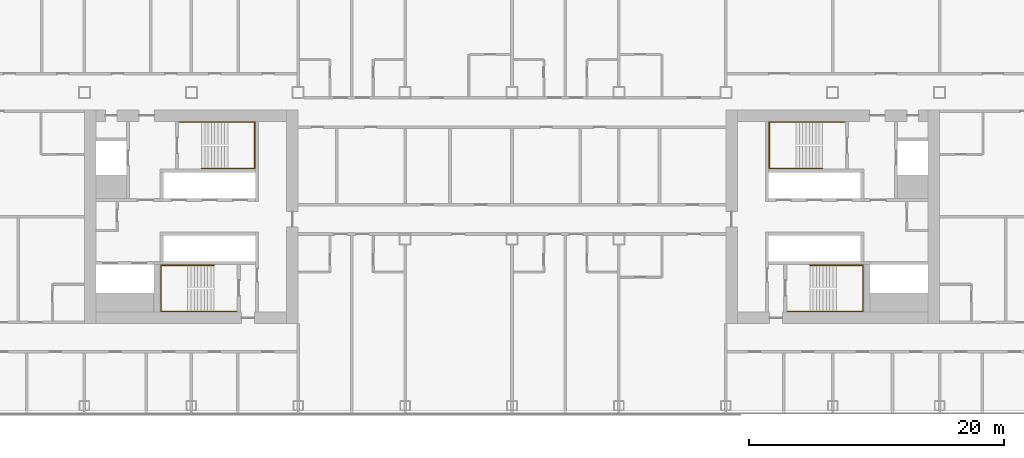
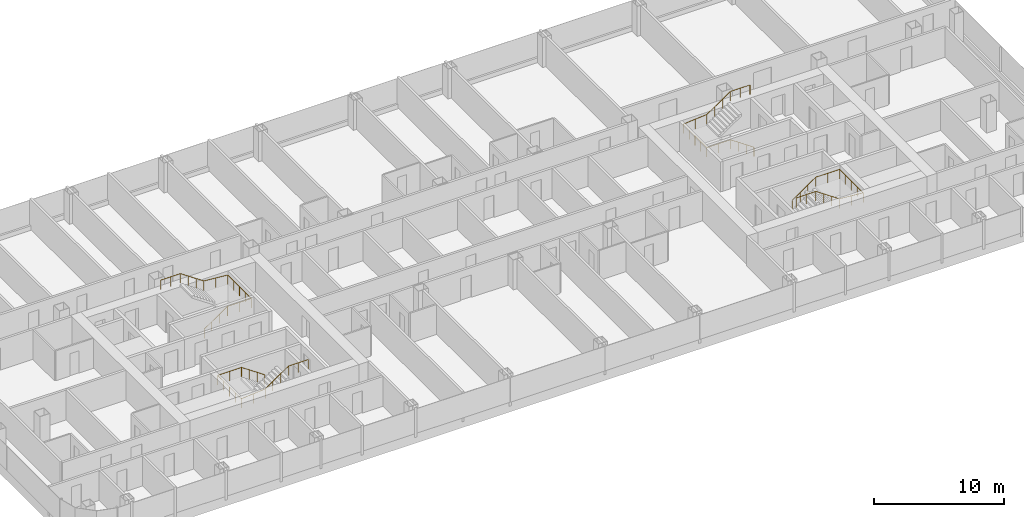
# One storey, part 29 of 29: 4 railings.
"""IFC4 building model written with IfcOpenShell, lengths in metres."""

from ifc_helpers import new_model, si_unit, direction, frame, origin, origin_2d, place, context, subcontext, project, spatial, circle, extrude, material, type_object, element, save


model = new_model("IFC4")

# Units and contexts
model_context = context("Model", 3, precision=1e-05, world=origin(), true_north=direction((0.0, 1.0)))
body_context = subcontext(model_context, "Body", "Model", "MODEL_VIEW")
ifc_project = project(units=[si_unit("LENGTHUNIT", "METRE"), si_unit("AREAUNIT", "SQUARE_METRE"), si_unit("VOLUMEUNIT", "CUBIC_METRE"), si_unit("PLANEANGLEUNIT", "RADIAN"), si_unit("MASSUNIT", "GRAM", prefix="KILO")], contexts=[model_context])

# Site, building, storey
site_placement = place(None, origin())
site = spatial("IfcSite", under=ifc_project, at=site_placement, CompositionType="ELEMENT")
building_placement = place(site_placement, origin())
building = spatial("IfcBuilding", under=site, at=building_placement, Name="Hakoniwa Tower and Hamabe Station Hall", CompositionType="ELEMENT")
storey_placement = place(building_placement, frame((0.0, 0.0, 85.0)))
storey = spatial("IfcBuildingStorey", under=building, at=storey_placement, Name="L23", CompositionType="ELEMENT", Elevation=85.0)

# Railings
ifc_material = material(Name="Stainless steel SUS304", Category="steel")
railing_type = type_object("IfcRailingType", Name="STAIR HANDRAIL 900", PredefinedType="HANDRAIL", material=ifc_material)
railing_1_placement = place(storey_placement, frame((-24.39990234375, 3.81005859375, 0.177734375)))
element("IfcRailing", 1, at=railing_1_placement, inside=storey, type_object=railing_type, Name="Handrail ST-1 L23 1", PredefinedType="HANDRAIL", context=body_context, shape_type="SweptSolid", body=[
    extrude(circle(Radius=0.02392578125, at=origin_2d()), frame((0.0, 0.0, 0.8759765625), z_axis=(0.825433201882, 0.0, 0.564499804456), x_axis=(0.0, 1.0, 0.0)), (0.0, 0.0, 1.0), 2.519775390625),
    extrude(circle(Radius=0.02392578125, at=origin_2d()), frame((2.079833984375, 0.0, 2.29833984375), z_axis=(1.0, 0.0, 0.0), x_axis=(0.0, 1.0, 0.0)), (0.0, 0.0, 1.0), 2.110107421875),
    extrude(circle(Radius=0.02392578125, at=origin_2d()), frame((4.18994140625, 0.0, 2.29833984375), z_axis=(0.0, 1.0, 0.0), x_axis=(-1.0, 0.0, 0.0)), (0.0, 0.0, 1.0), 3.6298828125),
    extrude(circle(Radius=0.02392578125, at=origin_2d()), frame((4.18994140625, 3.6298828125, 2.29833984375), z_axis=(-0.996471417081, 0.0, 0.083932800143), x_axis=(0.0, -1.0, 0.0)), (0.0, 0.0, 1.0), 2.11767578125),
    extrude(circle(Radius=0.02392578125, at=origin_2d()), frame((2.079833984375, 3.6298828125, 2.47607421875), z_axis=(-0.825478349766, 0.0, 0.564433781827), x_axis=(0.0, -1.0, 0.0)), (0.0, 0.0, 1.0), 2.51953125),
    extrude(circle(Radius=0.02392578125, at=origin_2d()), frame((0.0, 3.6298828125, 3.89794921875), z_axis=(-1.0, 0.0, 0.0), x_axis=(0.0, -1.0, 0.0)), (0.0, 0.0, 1.0), 1.739990234375),
    extrude(circle(Radius=0.02099609375, at=origin_2d()), origin(), (0.0, 0.0, 1.0), 0.851806640625),
    extrude(circle(Radius=0.02099609375, at=origin_2d()), frame((0.693359375, 0.0, 0.47412109375)), (0.0, 0.0, 1.0), 0.851806640625),
    extrude(circle(Radius=0.02099609375, at=origin_2d()), frame((1.386474609375, 0.0, 0.9482421875)), (0.0, 0.0, 1.0), 0.851806640625),
    extrude(circle(Radius=0.02099609375, at=origin_2d()), frame((2.079833984375, 0.0, 1.42236328125)), (0.0, 0.0, 1.0), 0.851806640625),
    extrude(circle(Radius=0.02099609375, at=origin_2d()), frame((3.134765625, 0.0, 1.42236328125)), (0.0, 0.0, 1.0), 0.851806640625),
    extrude(circle(Radius=0.02099609375, at=origin_2d()), frame((4.18994140625, 0.0, 1.42236328125)), (0.0, 0.0, 1.0), 0.851806640625),
    extrude(circle(Radius=0.02099609375, at=origin_2d()), frame((4.18994140625, 0.907470703125, 1.42236328125)), (0.0, 0.0, 1.0), 0.851806640625),
    extrude(circle(Radius=0.02099609375, at=origin_2d()), frame((4.18994140625, 1.81494140625, 1.42236328125)), (0.0, 0.0, 1.0), 0.851806640625),
    extrude(circle(Radius=0.02099609375, at=origin_2d()), frame((4.18994140625, 2.722412109375, 1.42236328125)), (0.0, 0.0, 1.0), 0.851806640625),
    extrude(circle(Radius=0.02099609375, at=origin_2d()), frame((4.18994140625, 3.6298828125, 1.42236328125)), (0.0, 0.0, 1.0), 0.851806640625),
    extrude(circle(Radius=0.02099609375, at=origin_2d()), frame((3.134765625, 3.6298828125, 1.51123046875)), (0.0, 0.0, 1.0), 0.851806640625),
    extrude(circle(Radius=0.02099609375, at=origin_2d()), frame((2.079833984375, 3.6298828125, 1.60009765625)), (0.0, 0.0, 1.0), 0.851806640625),
    extrude(circle(Radius=0.02099609375, at=origin_2d()), frame((1.386474609375, 3.6298828125, 2.07421875)), (0.0, 0.0, 1.0), 0.851806640625),
    extrude(circle(Radius=0.02099609375, at=origin_2d()), frame((0.693359375, 3.6298828125, 2.548095703125)), (0.0, 0.0, 1.0), 0.851806640625),
    extrude(circle(Radius=0.02099609375, at=origin_2d()), frame((0.0, 3.6298828125, 3.022216796875)), (0.0, 0.0, 1.0), 0.851806640625),
    extrude(circle(Radius=0.02099609375, at=origin_2d()), frame((-0.8701171875, 3.6298828125, 3.022216796875)), (0.0, 0.0, 1.0), 0.851806640625),
    extrude(circle(Radius=0.02099609375, at=origin_2d()), frame((-1.739990234375, 3.6298828125, 3.022216796875)), (0.0, 0.0, 1.0), 0.851806640625),
])
railing_2_placement = place(storey_placement, frame((-23.39990234375, -3.81005859375, 0.177734375)))
element("IfcRailing", 2, at=railing_2_placement, inside=storey, type_object=railing_type, Name="Handrail ST-2 L23 1", PredefinedType="HANDRAIL", context=body_context, shape_type="SweptSolid", body=[
    extrude(circle(Radius=0.02392578125, at=origin_2d()), frame((0.0, 0.0, 0.8759765625), z_axis=(-0.825464074169, 0.0, 0.564454659168), x_axis=(0.0, -1.0, 0.0)), (0.0, 0.0, 1.0), 2.519775390625),
    extrude(circle(Radius=0.02392578125, at=origin_2d()), frame((-2.080078125, 0.0, 2.29833984375), z_axis=(-1.0, 0.0, 0.0), x_axis=(0.0, -1.0, 0.0)), (0.0, 0.0, 1.0), 2.110107421875),
    extrude(circle(Radius=0.02392578125, at=origin_2d()), frame((-4.190185546875, 0.0, 2.29833984375), z_axis=(0.0, -1.0, 0.0), x_axis=(1.0, 0.0, 0.0)), (0.0, 0.0, 1.0), 3.6298828125),
    extrude(circle(Radius=0.02392578125, at=origin_2d()), frame((-4.190185546875, -3.6298828125, 2.29833984375), z_axis=(0.996471417081, 0.0, 0.083932800143), x_axis=(0.0, 1.0, 0.0)), (0.0, 0.0, 1.0), 2.11767578125),
    extrude(circle(Radius=0.02392578125, at=origin_2d()), frame((-2.080078125, -3.6298828125, 2.47607421875), z_axis=(0.82550921652, 0.0, 0.564388636881), x_axis=(0.0, 1.0, 0.0)), (0.0, 0.0, 1.0), 2.519775390625),
    extrude(circle(Radius=0.02392578125, at=origin_2d()), frame((0.0, -3.6298828125, 3.89794921875), z_axis=(1.0, 0.0, 0.0), x_axis=(0.0, 1.0, 0.0)), (0.0, 0.0, 1.0), 1.739990234375),
    extrude(circle(Radius=0.02099609375, at=origin_2d()), origin(), (0.0, 0.0, 1.0), 0.851806640625),
    extrude(circle(Radius=0.02099609375, at=origin_2d()), frame((-0.693359375, 0.0, 0.47412109375)), (0.0, 0.0, 1.0), 0.851806640625),
    extrude(circle(Radius=0.02099609375, at=origin_2d()), frame((-1.38671875, 0.0, 0.9482421875)), (0.0, 0.0, 1.0), 0.851806640625),
    extrude(circle(Radius=0.02099609375, at=origin_2d()), frame((-2.080078125, 0.0, 1.42236328125)), (0.0, 0.0, 1.0), 0.851806640625),
    extrude(circle(Radius=0.02099609375, at=origin_2d()), frame((-3.13525390625, 0.0, 1.42236328125)), (0.0, 0.0, 1.0), 0.851806640625),
    extrude(circle(Radius=0.02099609375, at=origin_2d()), frame((-4.190185546875, 0.0, 1.42236328125)), (0.0, 0.0, 1.0), 0.851806640625),
    extrude(circle(Radius=0.02099609375, at=origin_2d()), frame((-4.190185546875, -0.907470703125, 1.42236328125)), (0.0, 0.0, 1.0), 0.851806640625),
    extrude(circle(Radius=0.02099609375, at=origin_2d()), frame((-4.190185546875, -1.81494140625, 1.42236328125)), (0.0, 0.0, 1.0), 0.851806640625),
    extrude(circle(Radius=0.02099609375, at=origin_2d()), frame((-4.190185546875, -2.722412109375, 1.42236328125)), (0.0, 0.0, 1.0), 0.851806640625),
    extrude(circle(Radius=0.02099609375, at=origin_2d()), frame((-4.190185546875, -3.6298828125, 1.42236328125)), (0.0, 0.0, 1.0), 0.851806640625),
    extrude(circle(Radius=0.02099609375, at=origin_2d()), frame((-3.13525390625, -3.6298828125, 1.51123046875)), (0.0, 0.0, 1.0), 0.851806640625),
    extrude(circle(Radius=0.02099609375, at=origin_2d()), frame((-2.080078125, -3.6298828125, 1.60009765625)), (0.0, 0.0, 1.0), 0.851806640625),
    extrude(circle(Radius=0.02099609375, at=origin_2d()), frame((-1.38671875, -3.6298828125, 2.07421875)), (0.0, 0.0, 1.0), 0.851806640625),
    extrude(circle(Radius=0.02099609375, at=origin_2d()), frame((-0.693359375, -3.6298828125, 2.548095703125)), (0.0, 0.0, 1.0), 0.851806640625),
    extrude(circle(Radius=0.02099609375, at=origin_2d()), frame((0.0, -3.6298828125, 3.022216796875)), (0.0, 0.0, 1.0), 0.851806640625),
    extrude(circle(Radius=0.02099609375, at=origin_2d()), frame((0.8701171875, -3.6298828125, 3.022216796875)), (0.0, 0.0, 1.0), 0.851806640625),
    extrude(circle(Radius=0.02099609375, at=origin_2d()), frame((1.739990234375, -3.6298828125, 3.022216796875)), (0.0, 0.0, 1.0), 0.851806640625),
])
railing_3_placement = place(storey_placement, frame((24.39990234375, 3.81005859375, 0.177734375)))
element("IfcRailing", 3, at=railing_3_placement, inside=storey, type_object=railing_type, Name="Handrail ST-3 L23 1", PredefinedType="HANDRAIL", context=body_context, shape_type="SweptSolid", body=[
    extrude(circle(Radius=0.02392578125, at=origin_2d()), frame((0.0, 0.0, 0.8759765625), z_axis=(-0.825433201882, 0.0, 0.564499804456), x_axis=(0.0, -1.0, 0.0)), (0.0, 0.0, 1.0), 2.519775390625),
    extrude(circle(Radius=0.02392578125, at=origin_2d()), frame((-2.079833984375, 0.0, 2.29833984375), z_axis=(-1.0, 0.0, 0.0), x_axis=(0.0, -1.0, 0.0)), (0.0, 0.0, 1.0), 2.110107421875),
    extrude(circle(Radius=0.02392578125, at=origin_2d()), frame((-4.18994140625, 0.0, 2.29833984375), z_axis=(0.0, 1.0, 0.0), x_axis=(-1.0, 0.0, 0.0)), (0.0, 0.0, 1.0), 3.6298828125),
    extrude(circle(Radius=0.02392578125, at=origin_2d()), frame((-4.18994140625, 3.6298828125, 2.29833984375), z_axis=(0.996471417081, 0.0, 0.083932800143), x_axis=(0.0, 1.0, 0.0)), (0.0, 0.0, 1.0), 2.11767578125),
    extrude(circle(Radius=0.02392578125, at=origin_2d()), frame((-2.079833984375, 3.6298828125, 2.47607421875), z_axis=(0.825478349766, 0.0, 0.564433781827), x_axis=(0.0, 1.0, 0.0)), (0.0, 0.0, 1.0), 2.51953125),
    extrude(circle(Radius=0.02392578125, at=origin_2d()), frame((0.0, 3.6298828125, 3.89794921875), z_axis=(1.0, 0.0, 0.0), x_axis=(0.0, 1.0, 0.0)), (0.0, 0.0, 1.0), 1.739990234375),
    extrude(circle(Radius=0.02099609375, at=origin_2d()), origin(), (0.0, 0.0, 1.0), 0.851806640625),
    extrude(circle(Radius=0.02099609375, at=origin_2d()), frame((-0.693359375, 0.0, 0.47412109375)), (0.0, 0.0, 1.0), 0.851806640625),
    extrude(circle(Radius=0.02099609375, at=origin_2d()), frame((-1.386474609375, 0.0, 0.9482421875)), (0.0, 0.0, 1.0), 0.851806640625),
    extrude(circle(Radius=0.02099609375, at=origin_2d()), frame((-2.079833984375, 0.0, 1.42236328125)), (0.0, 0.0, 1.0), 0.851806640625),
    extrude(circle(Radius=0.02099609375, at=origin_2d()), frame((-3.134765625, 0.0, 1.42236328125)), (0.0, 0.0, 1.0), 0.851806640625),
    extrude(circle(Radius=0.02099609375, at=origin_2d()), frame((-4.18994140625, 0.0, 1.42236328125)), (0.0, 0.0, 1.0), 0.851806640625),
    extrude(circle(Radius=0.02099609375, at=origin_2d()), frame((-4.18994140625, 0.907470703125, 1.42236328125)), (0.0, 0.0, 1.0), 0.851806640625),
    extrude(circle(Radius=0.02099609375, at=origin_2d()), frame((-4.18994140625, 1.81494140625, 1.42236328125)), (0.0, 0.0, 1.0), 0.851806640625),
    extrude(circle(Radius=0.02099609375, at=origin_2d()), frame((-4.18994140625, 2.722412109375, 1.42236328125)), (0.0, 0.0, 1.0), 0.851806640625),
    extrude(circle(Radius=0.02099609375, at=origin_2d()), frame((-4.18994140625, 3.6298828125, 1.42236328125)), (0.0, 0.0, 1.0), 0.851806640625),
    extrude(circle(Radius=0.02099609375, at=origin_2d()), frame((-3.134765625, 3.6298828125, 1.51123046875)), (0.0, 0.0, 1.0), 0.851806640625),
    extrude(circle(Radius=0.02099609375, at=origin_2d()), frame((-2.079833984375, 3.6298828125, 1.60009765625)), (0.0, 0.0, 1.0), 0.851806640625),
    extrude(circle(Radius=0.02099609375, at=origin_2d()), frame((-1.386474609375, 3.6298828125, 2.07421875)), (0.0, 0.0, 1.0), 0.851806640625),
    extrude(circle(Radius=0.02099609375, at=origin_2d()), frame((-0.693359375, 3.6298828125, 2.548095703125)), (0.0, 0.0, 1.0), 0.851806640625),
    extrude(circle(Radius=0.02099609375, at=origin_2d()), frame((0.0, 3.6298828125, 3.022216796875)), (0.0, 0.0, 1.0), 0.851806640625),
    extrude(circle(Radius=0.02099609375, at=origin_2d()), frame((0.8701171875, 3.6298828125, 3.022216796875)), (0.0, 0.0, 1.0), 0.851806640625),
    extrude(circle(Radius=0.02099609375, at=origin_2d()), frame((1.739990234375, 3.6298828125, 3.022216796875)), (0.0, 0.0, 1.0), 0.851806640625),
])
railing_4_placement = place(storey_placement, frame((23.39990234375, -3.81005859375, 0.177734375)))
element("IfcRailing", 4, at=railing_4_placement, inside=storey, type_object=railing_type, Name="Handrail ST-4 L23 1", PredefinedType="HANDRAIL", context=body_context, shape_type="SweptSolid", body=[
    extrude(circle(Radius=0.02392578125, at=origin_2d()), frame((0.0, 0.0, 0.8759765625), z_axis=(0.825464074169, 0.0, 0.564454659168), x_axis=(0.0, 1.0, 0.0)), (0.0, 0.0, 1.0), 2.519775390625),
    extrude(circle(Radius=0.02392578125, at=origin_2d()), frame((2.080078125, 0.0, 2.29833984375), z_axis=(1.0, 0.0, 0.0), x_axis=(0.0, 1.0, 0.0)), (0.0, 0.0, 1.0), 2.110107421875),
    extrude(circle(Radius=0.02392578125, at=origin_2d()), frame((4.190185546875, 0.0, 2.29833984375), z_axis=(0.0, -1.0, 0.0), x_axis=(1.0, 0.0, 0.0)), (0.0, 0.0, 1.0), 3.6298828125),
    extrude(circle(Radius=0.02392578125, at=origin_2d()), frame((4.190185546875, -3.6298828125, 2.29833984375), z_axis=(-0.996471417081, 0.0, 0.083932800143), x_axis=(0.0, -1.0, 0.0)), (0.0, 0.0, 1.0), 2.11767578125),
    extrude(circle(Radius=0.02392578125, at=origin_2d()), frame((2.080078125, -3.6298828125, 2.47607421875), z_axis=(-0.82550921652, 0.0, 0.564388636881), x_axis=(0.0, -1.0, 0.0)), (0.0, 0.0, 1.0), 2.519775390625),
    extrude(circle(Radius=0.02392578125, at=origin_2d()), frame((0.0, -3.6298828125, 3.89794921875), z_axis=(-1.0, 0.0, 0.0), x_axis=(0.0, -1.0, 0.0)), (0.0, 0.0, 1.0), 1.739990234375),
    extrude(circle(Radius=0.02099609375, at=origin_2d()), origin(), (0.0, 0.0, 1.0), 0.851806640625),
    extrude(circle(Radius=0.02099609375, at=origin_2d()), frame((0.693359375, 0.0, 0.47412109375)), (0.0, 0.0, 1.0), 0.851806640625),
    extrude(circle(Radius=0.02099609375, at=origin_2d()), frame((1.38671875, 0.0, 0.9482421875)), (0.0, 0.0, 1.0), 0.851806640625),
    extrude(circle(Radius=0.02099609375, at=origin_2d()), frame((2.080078125, 0.0, 1.42236328125)), (0.0, 0.0, 1.0), 0.851806640625),
    extrude(circle(Radius=0.02099609375, at=origin_2d()), frame((3.13525390625, 0.0, 1.42236328125)), (0.0, 0.0, 1.0), 0.851806640625),
    extrude(circle(Radius=0.02099609375, at=origin_2d()), frame((4.190185546875, 0.0, 1.42236328125)), (0.0, 0.0, 1.0), 0.851806640625),
    extrude(circle(Radius=0.02099609375, at=origin_2d()), frame((4.190185546875, -0.907470703125, 1.42236328125)), (0.0, 0.0, 1.0), 0.851806640625),
    extrude(circle(Radius=0.02099609375, at=origin_2d()), frame((4.190185546875, -1.81494140625, 1.42236328125)), (0.0, 0.0, 1.0), 0.851806640625),
    extrude(circle(Radius=0.02099609375, at=origin_2d()), frame((4.190185546875, -2.722412109375, 1.42236328125)), (0.0, 0.0, 1.0), 0.851806640625),
    extrude(circle(Radius=0.02099609375, at=origin_2d()), frame((4.190185546875, -3.6298828125, 1.42236328125)), (0.0, 0.0, 1.0), 0.851806640625),
    extrude(circle(Radius=0.02099609375, at=origin_2d()), frame((3.13525390625, -3.6298828125, 1.51123046875)), (0.0, 0.0, 1.0), 0.851806640625),
    extrude(circle(Radius=0.02099609375, at=origin_2d()), frame((2.080078125, -3.6298828125, 1.60009765625)), (0.0, 0.0, 1.0), 0.851806640625),
    extrude(circle(Radius=0.02099609375, at=origin_2d()), frame((1.38671875, -3.6298828125, 2.07421875)), (0.0, 0.0, 1.0), 0.851806640625),
    extrude(circle(Radius=0.02099609375, at=origin_2d()), frame((0.693359375, -3.6298828125, 2.548095703125)), (0.0, 0.0, 1.0), 0.851806640625),
    extrude(circle(Radius=0.02099609375, at=origin_2d()), frame((0.0, -3.6298828125, 3.022216796875)), (0.0, 0.0, 1.0), 0.851806640625),
    extrude(circle(Radius=0.02099609375, at=origin_2d()), frame((-0.8701171875, -3.6298828125, 3.022216796875)), (0.0, 0.0, 1.0), 0.851806640625),
    extrude(circle(Radius=0.02099609375, at=origin_2d()), frame((-1.739990234375, -3.6298828125, 3.022216796875)), (0.0, 0.0, 1.0), 0.851806640625),
])

save(model, "model.ifc")
